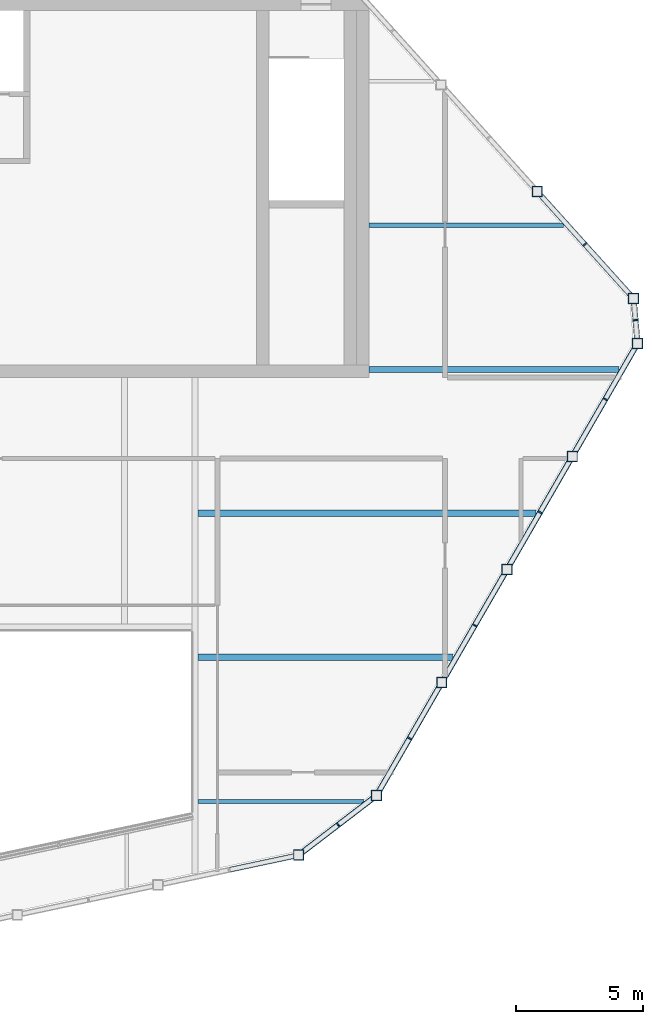
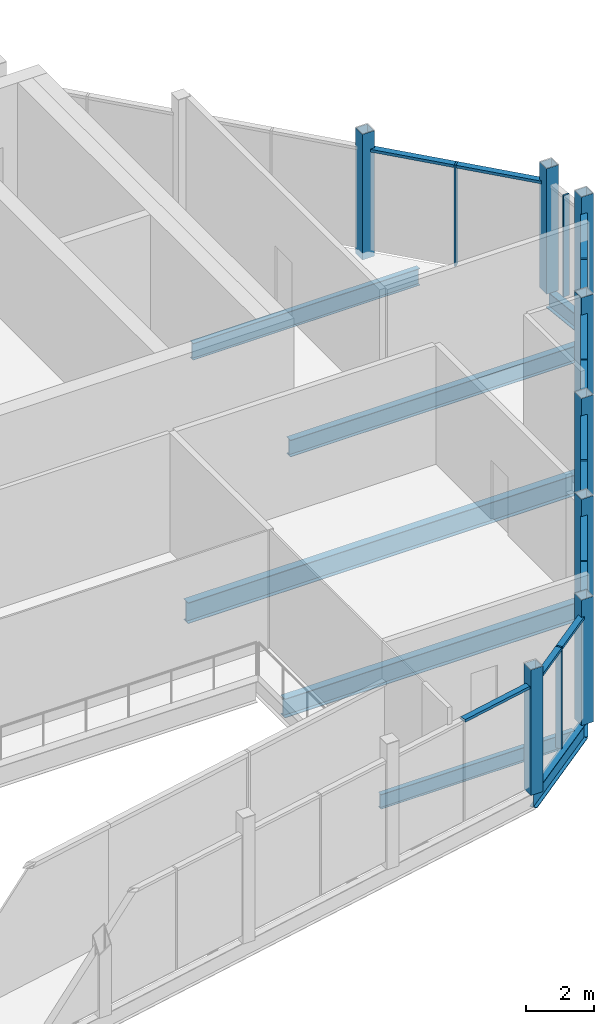
# One storey, part 4 of 10: 28 members, 8 beams, 5 elements without a shape of their own.
"""IFC4 building model written with IfcOpenShell, lengths in metres."""

from ifc_helpers import new_model, si_unit, direction, frame, origin, origin_2d, place, context, subcontext, project, spatial, rectangle, hollow_rectangle, i_section, extrude, material, layer, layer_set, material_profile, profile_set, type_object, element, aggregate, save


model = new_model("IFC4")

# Units and contexts
model_context = context("Model", 3, precision=1e-05, world=origin(), true_north=direction((0.0, 1.0)))
body_context = subcontext(model_context, "Body", "Model", "MODEL_VIEW")
ifc_project = project(units=[si_unit("LENGTHUNIT", "METRE"), si_unit("AREAUNIT", "SQUARE_METRE"), si_unit("VOLUMEUNIT", "CUBIC_METRE"), si_unit("PLANEANGLEUNIT", "RADIAN"), si_unit("MASSUNIT", "GRAM", prefix="KILO")], contexts=[model_context])

# Site, building, storey
site_placement = place(None, origin())
site = spatial("IfcSite", under=ifc_project, at=site_placement, CompositionType="ELEMENT")
building_placement = place(site_placement, origin())
building = spatial("IfcBuilding", under=site, at=building_placement, Name="Isthmus Gate Tower", CompositionType="ELEMENT")
storey_placement = place(building_placement, frame((0.0, 0.0, 311.10009765625)))
storey = spatial("IfcBuildingStorey", under=building, at=storey_placement, Name="C3", CompositionType="ELEMENT", Elevation=311.10009765625)

# Members
ifc_material_1 = material(Name="Structural steel ASTM A500 Gr C", Category="steel")
ifc_material_profile_1 = material_profile(ifc_material_1, hollow_rectangle(XDim=0.406494140625, YDim=0.406494140625, WallThickness=0.017578125, at=origin_2d()), Name="HSS16X16X3/4")
ifc_profile_set_1 = profile_set([ifc_material_profile_1], Name="Structural steel ASTM A500 Gr C")
member_type_1 = type_object("IfcMemberType", Name="CROWN POST HSS16X16X3/4", PredefinedType="POST", material=ifc_profile_set_1)
for number, where, z_axis, x_axis, name in (
    (1, (12.215087890625, -18.8701171875, -0.25), (0.0, 0.0, 1.0), (1.0, 0.0, 0.0), "str-crownpost-C3-20"),
    (2, (15.28955078125, -16.517822265625, -0.25), (0.0, 0.0, 1.0), (1.0, 0.0, 0.0), "str-crownpost-C3-21"),
    (3, (17.8681640625, -12.05126953125, -0.25), (0.0, 0.0, 1.0), (1.0, 0.0, 0.0), "str-crownpost-C3-22"),
    (4, (20.44677734375, -7.5849609375, -0.25), (0.0, 0.0, 1.0), (1.0, 0.0, 0.0), "str-crownpost-C3-23"),
    (5, (23.025634765625, -3.11865234375, -0.25), (0.0, 0.0, 1.0), (1.0, 0.0, 0.0), "str-crownpost-C3-24"),
    (6, (25.604248046875, 1.347900390625, -0.25), (0.0, 0.0, 1.0), (1.0, 0.0, 0.0), "str-crownpost-C3-25"),
    (7, (25.445068359375, 3.120361328125, -0.25), (0.0, 0.0, 1.0), (1.0, 0.0, 0.0), "str-crownpost-C3-26"),
    (8, (21.642333984375, 7.34375, -0.25), (0.0, 0.0, 1.0), (1.0, 0.0, 0.0), "str-crownpost-C3-27"),
):
    element("IfcMember", number, at=place(storey_placement, frame(where, z_axis=z_axis, x_axis=x_axis)), inside=storey, type_object=member_type_1, Name=name, PredefinedType="POST", context=body_context, shape_type="SweptSolid", body=[
        extrude(hollow_rectangle(XDim=0.406494140625, YDim=0.406494140625, WallThickness=0.017578125, at=origin_2d()), origin(), (0.0, 0.0, 1.0), 4.5),
    ])

# Beams
ifc_material_2 = material(Name="Structural steel ASTM A992 Gr 50", Category="steel")
ifc_material_profile_2 = material_profile(ifc_material_2, i_section(OverallWidth=0.231689453125, OverallDepth=0.615966796875, WebThickness=0.0126953125, FlangeThickness=0.022216796875, at=origin_2d()), Name="W24X94")
ifc_profile_set_2 = profile_set([ifc_material_profile_2], Name="Structural steel ASTM A992 Gr 50")
beam_type_1 = type_object("IfcBeamType", Name="CROWN RING BEAM W24X94", PredefinedType="BEAM", material=ifc_profile_set_2)
beam_1_placement = place(storey_placement, frame((12.215087890625, -18.8701171875, -0.55810546875), z_axis=(0.794203857672, 0.607651407025, 0.0), x_axis=(-0.607651407025, 0.794203857672, 0.0)))
element("IfcBeam", 9, at=beam_1_placement, inside=storey, type_object=beam_type_1, Name="str-crownring-C3-07", PredefinedType="BEAM", context=body_context, shape_type="SweptSolid", body=[
    extrude(i_section(OverallWidth=0.231689453125, OverallDepth=0.615966796875, WebThickness=0.0126953125, FlangeThickness=0.022216796875, at=origin_2d()), origin(), (0.0, 0.0, 1.0), 3.87109375),
])
beam_2_placement = place(storey_placement, frame((15.28955078125, -16.517822265625, -0.55810546875), z_axis=(0.499996999955, 0.866027135854, 0.0), x_axis=(-0.866027135854, 0.499996999955, 0.0)))
element("IfcBeam", 10, at=beam_2_placement, inside=storey, type_object=beam_type_1, Name="str-crownring-C3-08", PredefinedType="BEAM", context=body_context, shape_type="SweptSolid", body=[
    extrude(i_section(OverallWidth=0.231689453125, OverallDepth=0.615966796875, WebThickness=0.0126953125, FlangeThickness=0.022216796875, at=origin_2d()), origin(), (0.0, 0.0, 1.0), 20.629638671875),
])
beam_3_placement = place(storey_placement, frame((25.604248046875, 1.347900390625, -0.55810546875), z_axis=(-0.089447176589, 0.995991567535, 0.0), x_axis=(-0.995991567535, -0.089447176589, 0.0)))
element("IfcBeam", 11, at=beam_3_placement, inside=storey, type_object=beam_type_1, Name="str-crownring-C3-09", PredefinedType="BEAM", context=body_context, shape_type="SweptSolid", body=[
    extrude(i_section(OverallWidth=0.231689453125, OverallDepth=0.615966796875, WebThickness=0.0126953125, FlangeThickness=0.022216796875, at=origin_2d()), origin(), (0.0, 0.0, 1.0), 1.779541015625),
])

# Curtain wall, member
ifc_material_3 = material(Name="Aluminium, pale champagne anodised", Category="aluminium")
ifc_layer = layer(ifc_material_3, 0.199951171875)
ifc_layer_set = layer_set([ifc_layer], Name="CW-2 LOUVRE CURTAIN WALL 200 DEEP")
curtain_wall_type = type_object("IfcCurtainWallType", Name="CW-2 LOUVRE CURTAIN WALL 200 DEEP", PredefinedType="NOTDEFINED", material=ifc_layer_set)
curtain_wall_1_placement = place(storey_placement, origin())
curtain_wall_1 = element("IfcCurtainWall", 12, at=curtain_wall_1_placement, inside=storey, type_object=curtain_wall_type, Name="CW-2 E07 C3", PredefinedType="NOTDEFINED")
ifc_material_4 = material(Name="Aluminium, pale champagne anodised", Category="aluminium")
ifc_material_profile_3 = material_profile(ifc_material_4, rectangle(XDim=0.06005859375, YDim=0.199951171875, at=origin_2d()), Name="60x200")
ifc_profile_set_3 = profile_set([ifc_material_profile_3], Name="Aluminium, pale champagne anodised")
member_type_2 = type_object("IfcMemberType", Name="CW-2 MULLION 60 X 200", PredefinedType="MULLION", material=ifc_profile_set_3)
member_1_placement = place(storey_placement, frame((13.776123046875, -17.67578125, 0.0), z_axis=(0.0, 0.0, 1.0), x_axis=(0.794188594387, 0.607671355706, 0.0)))
member_1 = element("IfcMember", 13, at=member_1_placement, type_object=member_type_2, Name="CW-2 mullion", PredefinedType="MULLION", context=body_context, shape_type="SweptSolid", body=[
    extrude(rectangle(XDim=0.06005859375, YDim=0.199951171875, at=origin_2d()), origin(), (0.0, 0.0, 1.0), 3.634033203125),
])

# Curtain wall, members
curtain_wall_2_placement = place(storey_placement, origin())
curtain_wall_2 = element("IfcCurtainWall", 14, at=curtain_wall_2_placement, inside=storey, type_object=curtain_wall_type, Name="CW-2 E08 C3", PredefinedType="NOTDEFINED")
member_2_placement = place(storey_placement, frame((16.593994140625, -14.258544921875, 0.0), z_axis=(0.0, 0.0, 1.0), x_axis=(0.5, 0.866025403784, 0.0)))
member_2 = element("IfcMember", 15, at=member_2_placement, type_object=member_type_2, Name="CW-2 mullion", PredefinedType="MULLION", context=body_context, shape_type="SweptSolid", body=[
    extrude(rectangle(XDim=0.06005859375, YDim=0.199951171875, at=origin_2d()), origin(), (0.0, 0.0, 1.0), 3.634033203125),
])
member_3_placement = place(storey_placement, frame((19.172607421875, -9.792236328125, 0.0), z_axis=(0.0, 0.0, 1.0), x_axis=(0.5, 0.866025403784, 0.0)))
member_3 = element("IfcMember", 16, at=member_3_placement, type_object=member_type_2, Name="CW-2 mullion", PredefinedType="MULLION", context=body_context, shape_type="SweptSolid", body=[
    extrude(rectangle(XDim=0.06005859375, YDim=0.199951171875, at=origin_2d()), origin(), (0.0, 0.0, 1.0), 3.634033203125),
])
member_4_placement = place(storey_placement, frame((21.751220703125, -5.32568359375, 0.0), z_axis=(0.0, 0.0, 1.0), x_axis=(0.5, 0.866025403784, 0.0)))
member_4 = element("IfcMember", 17, at=member_4_placement, type_object=member_type_2, Name="CW-2 mullion", PredefinedType="MULLION", context=body_context, shape_type="SweptSolid", body=[
    extrude(rectangle(XDim=0.06005859375, YDim=0.199951171875, at=origin_2d()), origin(), (0.0, 0.0, 1.0), 3.634033203125),
])
member_5_placement = place(storey_placement, frame((24.329833984375, -0.859375, 0.0), z_axis=(0.0, 0.0, 1.0), x_axis=(0.5, 0.866025403784, 0.0)))
member_5 = element("IfcMember", 18, at=member_5_placement, type_object=member_type_2, Name="CW-2 mullion", PredefinedType="MULLION", context=body_context, shape_type="SweptSolid", body=[
    extrude(rectangle(XDim=0.06005859375, YDim=0.199951171875, at=origin_2d()), origin(), (0.0, 0.0, 1.0), 3.634033203125),
])

# Curtain wall, member
curtain_wall_3_placement = place(storey_placement, origin())
curtain_wall_3 = element("IfcCurtainWall", 19, at=curtain_wall_3_placement, inside=storey, type_object=curtain_wall_type, Name="CW-2 E09 C3", PredefinedType="NOTDEFINED")
member_6_placement = place(storey_placement, frame((25.52197265625, 2.263916015625, 0.0), z_axis=(0.0, 0.0, 1.0), x_axis=(-0.089396669717, 0.995996102123, 0.0)))
member_6 = element("IfcMember", 20, at=member_6_placement, type_object=member_type_2, Name="CW-2 mullion", PredefinedType="MULLION", context=body_context, shape_type="SweptSolid", body=[
    extrude(rectangle(XDim=0.06005859375, YDim=0.199951171875, at=origin_2d()), origin(), (0.0, 0.0, 1.0), 3.634033203125),
])
aggregate(curtain_wall_3, [member_6])

curtain_wall_4_placement = place(storey_placement, origin())
curtain_wall_4 = element("IfcCurtainWall", 21, at=curtain_wall_4_placement, inside=storey, type_object=curtain_wall_type, Name="CW-2 E10 C3", PredefinedType="NOTDEFINED")
member_7_placement = place(storey_placement, frame((23.523681640625, 5.25439453125, 0.0), z_axis=(0.0, 0.0, 1.0), x_axis=(-0.669130606359, 0.743144825477, 0.0)))
member_7 = element("IfcMember", 22, at=member_7_placement, type_object=member_type_2, Name="CW-2 mullion", PredefinedType="MULLION", context=body_context, shape_type="SweptSolid", body=[
    extrude(rectangle(XDim=0.06005859375, YDim=0.199951171875, at=origin_2d()), origin(), (0.0, 0.0, 1.0), 3.634033203125),
])

curtain_wall_5_placement = place(storey_placement, origin())
curtain_wall_5 = element("IfcCurtainWall", 23, at=curtain_wall_5_placement, inside=storey, type_object=curtain_wall_type, Name="CW-2 E06 C3", PredefinedType="NOTDEFINED")
ifc_material_5 = material(Name="Aluminium, pale champagne anodised", Category="aluminium")
ifc_material_profile_4 = material_profile(ifc_material_5, rectangle(XDim=0.199951171875, YDim=0.10009765625, at=origin_2d()), Name="200x100")
ifc_profile_set_4 = profile_set([ifc_material_profile_4], Name="Aluminium, pale champagne anodised")
member_type_3 = type_object("IfcMemberType", Name="CW-2 TRANSOM 200 X 100", PredefinedType="USERDEFINED", material=ifc_profile_set_4)
member_8_placement = place(storey_placement, frame((9.494384765625, -19.448486328125, 3.583984375), z_axis=(0.978142002072, 0.207938028708, 0.0), x_axis=(-0.207938028708, 0.978142002072, 0.0)))
member_8 = element("IfcMember", 24, at=member_8_placement, type_object=member_type_3, Name="CW-2 transom", ObjectType="TRANSOM", PredefinedType="USERDEFINED", context=body_context, shape_type="SweptSolid", body=[
    extrude(rectangle(XDim=0.199951171875, YDim=0.10009765625, at=origin_2d()), origin(), (0.0, 0.0, 1.0), 2.578369140625),
])
aggregate(curtain_wall_5, [member_8])

# Member
member_9_placement = place(storey_placement, frame((12.37646484375, -18.74658203125, 3.583984375), z_axis=(0.794213815853, 0.607638391405, 0.0), x_axis=(-0.607638391405, 0.794213815853, 0.0)))
member_9 = element("IfcMember", 25, at=member_9_placement, type_object=member_type_3, Name="CW-2 transom", ObjectType="TRANSOM", PredefinedType="USERDEFINED", context=body_context, shape_type="SweptSolid", body=[
    extrude(rectangle(XDim=0.199951171875, YDim=0.10009765625, at=origin_2d()), origin(), (0.0, 0.0, 1.0), 1.732421875),
])

member_10_placement = place(storey_placement, frame((13.800048828125, -17.657470703125, 3.583984375), z_axis=(0.794146460454, 0.607726418175, 0.0), x_axis=(-0.607726418175, 0.794146460454, 0.0)))
member_10 = element("IfcMember", 26, at=member_10_placement, type_object=member_type_3, Name="CW-2 transom", ObjectType="TRANSOM", PredefinedType="USERDEFINED", context=body_context, shape_type="SweptSolid", body=[
    extrude(rectangle(XDim=0.199951171875, YDim=0.10009765625, at=origin_2d()), origin(), (0.0, 0.0, 1.0), 1.67236328125),
])

aggregate(curtain_wall_1, [member_9, member_1, member_10])

member_11_placement = place(storey_placement, frame((15.39111328125, -16.341796875, 3.583984375), z_axis=(0.49997450891, 0.866040120572, 0.0), x_axis=(-0.866040120572, 0.49997450891, 0.0)))
member_11 = element("IfcMember", 27, at=member_11_placement, type_object=member_type_3, Name="CW-2 transom", ObjectType="TRANSOM", PredefinedType="USERDEFINED", context=body_context, shape_type="SweptSolid", body=[
    extrude(rectangle(XDim=0.199951171875, YDim=0.10009765625, at=origin_2d()), origin(), (0.0, 0.0, 1.0), 2.37548828125),
])

member_12_placement = place(storey_placement, frame((16.60888671875, -14.232666015625, 3.583984375), z_axis=(0.499971918929, 0.866041615791, 0.0), x_axis=(-0.866041615791, 0.499971918929, 0.0)))
member_12 = element("IfcMember", 28, at=member_12_placement, type_object=member_type_3, Name="CW-2 transom", ObjectType="TRANSOM", PredefinedType="USERDEFINED", context=body_context, shape_type="SweptSolid", body=[
    extrude(rectangle(XDim=0.199951171875, YDim=0.10009765625, at=origin_2d()), origin(), (0.0, 0.0, 1.0), 2.315673828125),
])

member_13_placement = place(storey_placement, frame((17.9697265625, -11.87548828125, 3.583984375), z_axis=(0.49997450891, 0.866040120572, 0.0), x_axis=(-0.866040120572, 0.49997450891, 0.0)))
member_13 = element("IfcMember", 29, at=member_13_placement, type_object=member_type_3, Name="CW-2 transom", ObjectType="TRANSOM", PredefinedType="USERDEFINED", context=body_context, shape_type="SweptSolid", body=[
    extrude(rectangle(XDim=0.199951171875, YDim=0.10009765625, at=origin_2d()), origin(), (0.0, 0.0, 1.0), 2.37548828125),
])

member_14_placement = place(storey_placement, frame((19.1875, -9.76611328125, 3.583984375), z_axis=(0.50001757531, 0.866015256437, 0.0), x_axis=(-0.866015256437, 0.50001757531, 0.0)))
member_14 = element("IfcMember", 30, at=member_14_placement, type_object=member_type_3, Name="CW-2 transom", ObjectType="TRANSOM", PredefinedType="USERDEFINED", context=body_context, shape_type="SweptSolid", body=[
    extrude(rectangle(XDim=0.199951171875, YDim=0.10009765625, at=origin_2d()), origin(), (0.0, 0.0, 1.0), 2.3154296875),
])

member_15_placement = place(storey_placement, frame((20.548583984375, -7.408935546875, 3.583984375), z_axis=(0.500019011276, 0.866014427341, 0.0), x_axis=(-0.866014427341, 0.500019011276, 0.0)))
member_15 = element("IfcMember", 31, at=member_15_placement, type_object=member_type_3, Name="CW-2 transom", ObjectType="TRANSOM", PredefinedType="USERDEFINED", context=body_context, shape_type="SweptSolid", body=[
    extrude(rectangle(XDim=0.199951171875, YDim=0.10009765625, at=origin_2d()), origin(), (0.0, 0.0, 1.0), 2.37548828125),
])

member_16_placement = place(storey_placement, frame((21.76611328125, -5.2998046875, 3.583984375), z_axis=(0.50001757531, 0.866015256437, 0.0), x_axis=(-0.866015256437, 0.50001757531, 0.0)))
member_16 = element("IfcMember", 32, at=member_16_placement, type_object=member_type_3, Name="CW-2 transom", ObjectType="TRANSOM", PredefinedType="USERDEFINED", context=body_context, shape_type="SweptSolid", body=[
    extrude(rectangle(XDim=0.199951171875, YDim=0.10009765625, at=origin_2d()), origin(), (0.0, 0.0, 1.0), 2.3154296875),
])

member_17_placement = place(storey_placement, frame((23.127197265625, -2.942626953125, 3.583984375), z_axis=(0.500019011276, 0.866014427341, 0.0), x_axis=(-0.866014427341, 0.500019011276, 0.0)))
member_17 = element("IfcMember", 33, at=member_17_placement, type_object=member_type_3, Name="CW-2 transom", ObjectType="TRANSOM", PredefinedType="USERDEFINED", context=body_context, shape_type="SweptSolid", body=[
    extrude(rectangle(XDim=0.199951171875, YDim=0.10009765625, at=origin_2d()), origin(), (0.0, 0.0, 1.0), 2.37548828125),
])

member_18_placement = place(storey_placement, frame((24.344970703125, -0.83349609375, 3.583984375), z_axis=(0.499971918929, 0.866041615791, 0.0), x_axis=(-0.866041615791, 0.499971918929, 0.0)))
member_18 = element("IfcMember", 34, at=member_18_placement, type_object=member_type_3, Name="CW-2 transom", ObjectType="TRANSOM", PredefinedType="USERDEFINED", context=body_context, shape_type="SweptSolid", body=[
    extrude(rectangle(XDim=0.199951171875, YDim=0.10009765625, at=origin_2d()), origin(), (0.0, 0.0, 1.0), 2.315673828125),
])

aggregate(curtain_wall_2, [member_11, member_2, member_12, member_13, member_3, member_14, member_15, member_4, member_16, member_17, member_5, member_18])

member_19_placement = place(storey_placement, frame((25.30908203125, 3.271484375, 3.583984375), z_axis=(-0.669123202395, 0.74315149197, 0.0), x_axis=(-0.74315149197, -0.669123202395, 0.0)))
member_19 = element("IfcMember", 35, at=member_19_placement, type_object=member_type_3, Name="CW-2 transom", ObjectType="TRANSOM", PredefinedType="USERDEFINED", context=body_context, shape_type="SweptSolid", body=[
    extrude(rectangle(XDim=0.199951171875, YDim=0.10009765625, at=origin_2d()), origin(), (0.0, 0.0, 1.0), 2.638427734375),
])

member_20_placement = place(storey_placement, frame((23.503662109375, 5.276611328125, 3.583984375), z_axis=(-0.669116417843, 0.743157600629, 0.0), x_axis=(-0.743157600629, -0.669116417843, 0.0)))
member_20 = element("IfcMember", 36, at=member_20_placement, type_object=member_type_3, Name="CW-2 transom", ObjectType="TRANSOM", PredefinedType="USERDEFINED", context=body_context, shape_type="SweptSolid", body=[
    extrude(rectangle(XDim=0.199951171875, YDim=0.10009765625, at=origin_2d()), origin(), (0.0, 0.0, 1.0), 2.57861328125),
])

aggregate(curtain_wall_4, [member_19, member_7, member_20])

# Beams
ifc_material_6 = material(Name="Structural steel ASTM A992 Gr 50", Category="steel")
ifc_material_profile_5 = material_profile(ifc_material_6, i_section(OverallWidth=0.1650390625, OverallDepth=0.52392578125, WebThickness=0.009521484375, FlangeThickness=0.010986328125, at=origin_2d()), Name="W21X44")
ifc_profile_set_5 = profile_set([ifc_material_profile_5], Name="Structural steel ASTM A992 Gr 50")
beam_type_2 = type_object("IfcBeamType", Name="STEEL FLOOR BEAM W21X44", PredefinedType="JOIST", material=ifc_profile_set_5)
beam_4_placement = place(storey_placement, frame((8.228515625, -16.75341796875, -0.511962890625), z_axis=(1.0, 0.0, 0.0), x_axis=(0.0, 1.0, 0.0)))
element("IfcBeam", 37, at=beam_4_placement, inside=storey, type_object=beam_type_2, Name="str-beam-C3-04-00", PredefinedType="JOIST", context=body_context, shape_type="SweptSolid", body=[
    extrude(i_section(OverallWidth=0.1650390625, OverallDepth=0.52392578125, WebThickness=0.009521484375, FlangeThickness=0.010986328125, at=origin_2d()), origin(), (0.0, 0.0, 1.0), 6.562255859375),
])
ifc_material_7 = material(Name="Structural steel ASTM A992 Gr 50", Category="steel")
ifc_material_profile_6 = material_profile(ifc_material_7, i_section(OverallWidth=0.177734375, OverallDepth=0.60009765625, WebThickness=0.009521484375, FlangeThickness=0.0126953125, at=origin_2d()), Name="W24X55")
ifc_profile_set_6 = profile_set([ifc_material_profile_6], Name="Structural steel ASTM A992 Gr 50")
beam_type_3 = type_object("IfcBeamType", Name="STEEL FLOOR BEAM W24X55", PredefinedType="JOIST", material=ifc_profile_set_6)
beam_5_placement = place(storey_placement, frame((15.0, 6.010986328125, -0.550048828125), z_axis=(1.0, 0.0, 0.0), x_axis=(0.0, 1.0, 0.0)))
element("IfcBeam", 38, at=beam_5_placement, inside=storey, type_object=beam_type_3, Name="str-beam-C3-04-04", PredefinedType="JOIST", context=body_context, shape_type="SweptSolid", body=[
    extrude(i_section(OverallWidth=0.177734375, OverallDepth=0.60009765625, WebThickness=0.009521484375, FlangeThickness=0.0126953125, at=origin_2d()), origin(), (0.0, 0.0, 1.0), 7.6865234375),
])
ifc_material_8 = material(Name="Structural steel ASTM A992 Gr 50", Category="steel")
ifc_material_profile_7 = material_profile(ifc_material_8, i_section(OverallWidth=0.228515625, OverallDepth=0.603271484375, WebThickness=0.010986328125, FlangeThickness=0.014404296875, at=origin_2d()), Name="W24X68")
ifc_profile_set_7 = profile_set([ifc_material_profile_7], Name="Structural steel ASTM A992 Gr 50")
beam_type_4 = type_object("IfcBeamType", Name="STEEL FLOOR BEAM W24X68", PredefinedType="JOIST", material=ifc_profile_set_7)
beam_6_placement = place(storey_placement, frame((15.0, 0.31982421875, -0.5517578125), z_axis=(1.0, 0.0, 0.0), x_axis=(0.0, 1.0, 0.0)))
element("IfcBeam", 39, at=beam_6_placement, inside=storey, type_object=beam_type_4, Name="str-beam-C3-04-03", PredefinedType="JOIST", context=body_context, shape_type="SweptSolid", body=[
    extrude(i_section(OverallWidth=0.228515625, OverallDepth=0.603271484375, WebThickness=0.010986328125, FlangeThickness=0.014404296875, at=origin_2d()), origin(), (0.0, 0.0, 1.0), 9.876953125),
])
ifc_material_9 = material(Name="Structural steel ASTM A992 Gr 50", Category="steel")
ifc_material_profile_8 = material_profile(ifc_material_9, i_section(OverallWidth=0.25390625, OverallDepth=0.679443359375, WebThickness=0.010986328125, FlangeThickness=0.015869140625, at=origin_2d()), Name="W27X84")
ifc_profile_set_8 = profile_set([ifc_material_profile_8], Name="Structural steel ASTM A992 Gr 50")
beam_type_5 = type_object("IfcBeamType", Name="STEEL FLOOR BEAM W27X84", PredefinedType="JOIST", material=ifc_profile_set_8)
beam_7_placement = place(storey_placement, frame((8.228515625, -11.062255859375, -0.58984375), z_axis=(1.0, 0.0, 0.0), x_axis=(0.0, 1.0, 0.0)))
element("IfcBeam", 40, at=beam_7_placement, inside=storey, type_object=beam_type_5, Name="str-beam-C3-04-01", PredefinedType="JOIST", context=body_context, shape_type="SweptSolid", body=[
    extrude(i_section(OverallWidth=0.25390625, OverallDepth=0.679443359375, WebThickness=0.010986328125, FlangeThickness=0.015869140625, at=origin_2d()), origin(), (0.0, 0.0, 1.0), 10.076904296875),
])
ifc_material_10 = material(Name="Structural steel ASTM A992 Gr 50", Category="steel")
ifc_material_profile_9 = material_profile(ifc_material_10, i_section(OverallWidth=0.263427734375, OverallDepth=0.749267578125, WebThickness=0.0126953125, FlangeThickness=0.015869140625, at=origin_2d()), Name="W30X90")
ifc_profile_set_9 = profile_set([ifc_material_profile_9], Name="Structural steel ASTM A992 Gr 50")
beam_type_6 = type_object("IfcBeamType", Name="STEEL FLOOR BEAM W30X90", PredefinedType="JOIST", material=ifc_profile_set_9)
beam_8_placement = place(storey_placement, frame((8.228515625, -5.37109375, -0.624755859375), z_axis=(1.0, 0.0, 0.0), x_axis=(0.0, 1.0, 0.0)))
element("IfcBeam", 41, at=beam_8_placement, inside=storey, type_object=beam_type_6, Name="str-beam-C3-04-02", PredefinedType="JOIST", context=body_context, shape_type="SweptSolid", body=[
    extrude(i_section(OverallWidth=0.263427734375, OverallDepth=0.749267578125, WebThickness=0.0126953125, FlangeThickness=0.015869140625, at=origin_2d()), origin(), (0.0, 0.0, 1.0), 13.362548828125),
])

save(model, "model.ifc")
